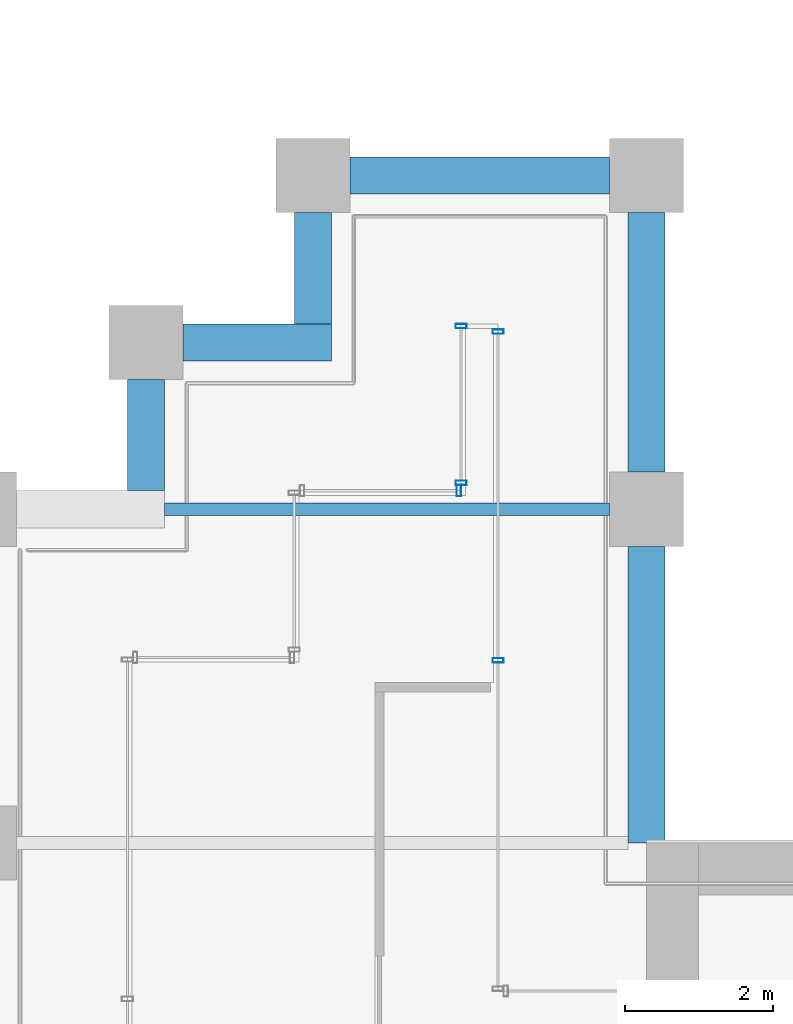
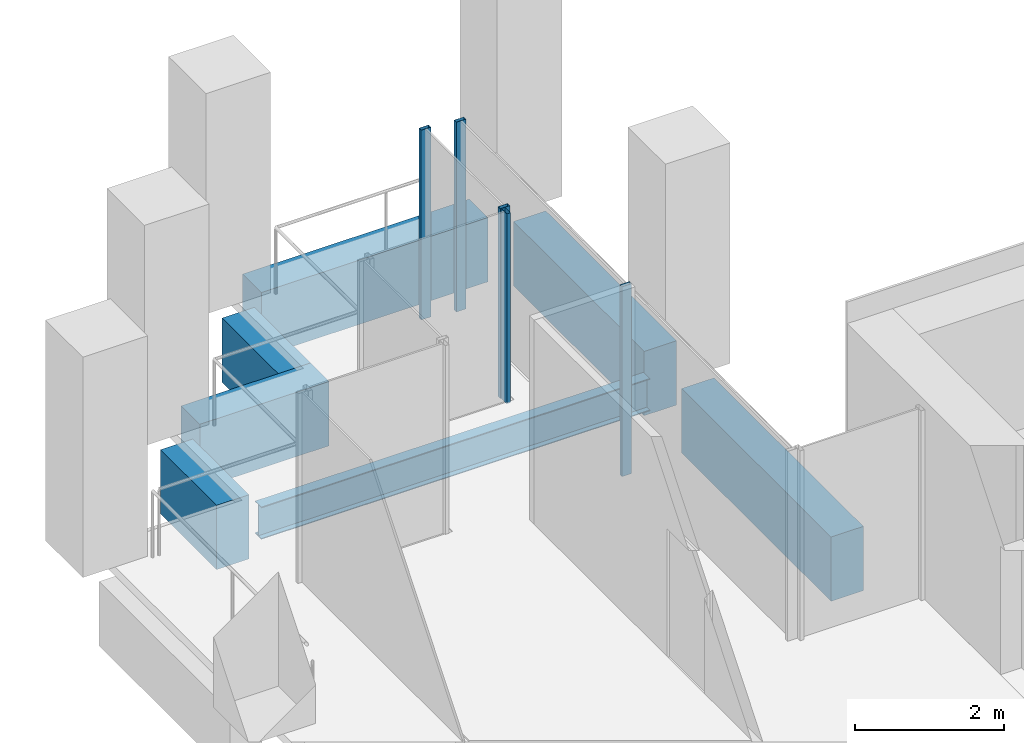
# One storey, part 35 of 45: 7 beams, 5 members, 3 elements without a shape of their own.
"""IFC4 building model written with IfcOpenShell, lengths in metres."""

from ifc_helpers import new_model, si_unit, direction, frame, origin, origin_2d, place, context, subcontext, project, spatial, rectangle, hollow_rectangle, i_section, extrude, material, material_profile, profile_set, type_object, element, aggregate, save


model = new_model("IFC4")

# Units and contexts
model_context = context("Model", 3, precision=1e-05, world=origin(), true_north=direction((0.0, 1.0)))
body_context = subcontext(model_context, "Body", "Model", "MODEL_VIEW")
ifc_project = project(units=[si_unit("LENGTHUNIT", "METRE"), si_unit("AREAUNIT", "SQUARE_METRE"), si_unit("VOLUMEUNIT", "CUBIC_METRE"), si_unit("PLANEANGLEUNIT", "RADIAN"), si_unit("MASSUNIT", "GRAM", prefix="KILO")], contexts=[model_context])

# Site, building, storey
site_placement = place(None, origin())
site = spatial("IfcSite", under=ifc_project, at=site_placement, CompositionType="ELEMENT")
building_placement = place(site_placement, origin())
building = spatial("IfcBuilding", under=site, at=building_placement, Name="Altepetl Exchange Towers", CompositionType="ELEMENT")
storey_placement = place(building_placement, frame((0.0, 0.0, 110.0)))
storey = spatial("IfcBuildingStorey", under=building, at=storey_placement, Name="L27", CompositionType="ELEMENT", Elevation=110.0)

# Beam
ifc_material_1 = material(Name="Steel S355", Category="steel")
ifc_material_profile_1 = material_profile(ifc_material_1, i_section(OverallWidth=0.166015625, OverallDepth=0.529052734375, WebThickness=0.009765625, FlangeThickness=0.013671875, at=origin_2d()), Name="W21X50")
ifc_profile_set_1 = profile_set([ifc_material_profile_1], Name="Steel S355")
beam_type_1 = type_object("IfcBeamType", Name="Floor beam W21X50", PredefinedType="BEAM", material=ifc_profile_set_1)
beam_1_placement = place(storey_placement, frame((97.0, 54.0, -0.41455078125), z_axis=(1.0, 0.0, 0.0), x_axis=(0.0, 1.0, 0.0)))
element("IfcBeam", 1, at=beam_1_placement, inside=storey, type_object=beam_type_1, Name="bm:B:L27:011", PredefinedType="BEAM", context=body_context, shape_type="SweptSolid", body=[
    extrude(i_section(OverallWidth=0.166015625, OverallDepth=0.529052734375, WebThickness=0.009765625, FlangeThickness=0.013671875, at=origin_2d()), origin(), (0.0, 0.0, 1.0), 6.0),
])

# Curtain wall, members
ifc_material_2 = material(Name="Aluminium 6063-T6 glazing", Category="aluminium")
curtain_wall_type = type_object("IfcCurtainWallType", Name="Loggia glazing system", PredefinedType="NOTDEFINED", material=ifc_material_2)
curtain_wall_1_placement = place(storey_placement, origin())
curtain_wall_1 = element("IfcCurtainWall", 2, at=curtain_wall_1_placement, inside=storey, type_object=curtain_wall_type, Name="CW1 run", PredefinedType="NOTDEFINED")
ifc_material_3 = material(Name="Aluminium 6063-T6", Category="aluminium")
ifc_material_profile_2 = material_profile(ifc_material_3, hollow_rectangle(XDim=0.06005859375, YDim=0.14990234375, WallThickness=0.0029296875, at=origin_2d()), Name="Mullion 60x150 aluminium")
ifc_profile_set_2 = profile_set([ifc_material_profile_2], Name="Aluminium 6063-T6")
member_type = type_object("IfcMemberType", Name="Mullion 60x150 aluminium", PredefinedType="MULLION", material=ifc_profile_set_2)
member_1_placement = place(storey_placement, frame((101.5, 51.96240234375, 0.0), z_axis=(0.0, 0.0, 1.0), x_axis=(0.0, 1.0, 0.0)))
member_1 = element("IfcMember", 3, at=member_1_placement, type_object=member_type, Name="MU1 mullion", PredefinedType="MULLION", context=body_context, shape_type="SweptSolid", body=[
    extrude(hollow_rectangle(XDim=0.06005859375, YDim=0.14990234375, WallThickness=0.0029296875, at=origin_2d()), origin(), (0.0, 0.0, 1.0), 3.10009765625),
])
member_2_placement = place(storey_placement, frame((101.5, 56.39501953125, 0.0), z_axis=(0.0, 0.0, 1.0), x_axis=(0.0, 1.0, 0.0)))
member_2 = element("IfcMember", 4, at=member_2_placement, type_object=member_type, Name="MU1 mullion", PredefinedType="MULLION", context=body_context, shape_type="SweptSolid", body=[
    extrude(hollow_rectangle(XDim=0.06005859375, YDim=0.14990234375, WallThickness=0.0029296875, at=origin_2d()), origin(), (0.0, 0.0, 1.0), 3.10009765625),
])
aggregate(curtain_wall_1, [member_1, member_2])

curtain_wall_2_placement = place(storey_placement, origin())
curtain_wall_2 = element("IfcCurtainWall", 5, at=curtain_wall_2_placement, inside=storey, type_object=curtain_wall_type, Name="CW1 run", PredefinedType="NOTDEFINED")
member_3_placement = place(storey_placement, frame((101.0, 56.469970703125, 0.0), z_axis=(0.0, 0.0, 1.0), x_axis=(0.0, -1.0, 0.0)))
member_3 = element("IfcMember", 6, at=member_3_placement, type_object=member_type, Name="MU1 mullion", PredefinedType="MULLION", context=body_context, shape_type="SweptSolid", body=[
    extrude(hollow_rectangle(XDim=0.06005859375, YDim=0.14990234375, WallThickness=0.0029296875, at=origin_2d()), origin(), (0.0, 0.0, 1.0), 3.10009765625),
])
member_4_placement = place(storey_placement, frame((101.0, 54.35498046875, 0.0), z_axis=(0.0, 0.0, 1.0), x_axis=(0.0, -1.0, 0.0)))
member_4 = element("IfcMember", 7, at=member_4_placement, type_object=member_type, Name="MU1 mullion", PredefinedType="MULLION", context=body_context, shape_type="SweptSolid", body=[
    extrude(hollow_rectangle(XDim=0.06005859375, YDim=0.14990234375, WallThickness=0.0029296875, at=origin_2d()), origin(), (0.0, 0.0, 1.0), 3.10009765625),
])
aggregate(curtain_wall_2, [member_3, member_4])

# Curtain wall, member
curtain_wall_3_placement = place(storey_placement, origin())
curtain_wall_3 = element("IfcCurtainWall", 8, at=curtain_wall_3_placement, inside=storey, type_object=curtain_wall_type, Name="CW1 run", PredefinedType="NOTDEFINED")
member_5_placement = place(storey_placement, frame((100.969970703125, 54.25, 0.0), z_axis=(0.0, 0.0, 1.0), x_axis=(-1.0, 0.0, 0.0)))
member_5 = element("IfcMember", 9, at=member_5_placement, type_object=member_type, Name="MU1 mullion", PredefinedType="MULLION", context=body_context, shape_type="SweptSolid", body=[
    extrude(hollow_rectangle(XDim=0.06005859375, YDim=0.14990234375, WallThickness=0.0029296875, at=origin_2d()), origin(), (0.0, 0.0, 1.0), 3.10009765625),
])
aggregate(curtain_wall_3, [member_5])

# Beams
ifc_material_4 = material(Name="Concrete C50/60 precast with cantera rosa facing", Category="concrete")
ifc_material_profile_3 = material_profile(ifc_material_4, rectangle(XDim=0.5, YDim=1.050048828125, at=origin_2d()), Name="500 x 1050")
ifc_profile_set_3 = profile_set([ifc_material_profile_3], Name="Concrete C50/60 precast with cantera rosa facing")
beam_type_2 = type_object("IfcBeamType", Name="Spandrel beam 500x1050 cantera rosa", PredefinedType="SPANDREL", material=ifc_profile_set_3)
beam_2_placement = place(storey_placement, frame((103.5, 49.5, -0.675048828125), z_axis=(0.0, 1.0, 0.0), x_axis=(-1.0, 0.0, 0.0)))
element("IfcBeam", 10, at=beam_2_placement, inside=storey, type_object=beam_type_2, Name="sp:B:L27:015", PredefinedType="SPANDREL", context=body_context, shape_type="SweptSolid", body=[
    extrude(rectangle(XDim=0.5, YDim=1.050048828125, at=origin_2d()), origin(), (0.0, 0.0, 1.0), 4.0),
])
for number, where, z_axis, x_axis, name in (
    (11, (103.5, 54.5, -0.675048828125), (0.0, 1.0, 0.0), (-1.0, 0.0, 0.0), "sp:B:L27:016"),
    (12, (103.0, 58.5, -0.675048828125), (-1.0, 0.0, 0.0), (0.0, -1.0, 0.0), "sp:B:L27:017"),
):
    element("IfcBeam", number, at=place(storey_placement, frame(where, z_axis=z_axis, x_axis=x_axis)), inside=storey, type_object=beam_type_2, Name=name, PredefinedType="SPANDREL", context=body_context, shape_type="SweptSolid", body=[
        extrude(rectangle(XDim=0.5, YDim=1.050048828125, at=origin_2d()), origin(), (0.0, 0.0, 1.0), 3.5),
    ])
beam_3_placement = place(storey_placement, frame((99.0, 58.0, -0.675048828125), z_axis=(0.0, -1.0, 0.0), x_axis=(1.0, 0.0, 0.0)))
element("IfcBeam", 13, at=beam_3_placement, inside=storey, type_object=beam_type_2, Name="sp:B:L27:018", PredefinedType="SPANDREL", context=body_context, shape_type="SweptSolid", body=[
    extrude(rectangle(XDim=0.5, YDim=1.050048828125, at=origin_2d()), origin(), (0.0, 0.0, 1.0), 1.5),
])
beam_4_placement = place(storey_placement, frame((99.25, 56.25, -0.675048828125), z_axis=(-1.0, 0.0, 0.0), x_axis=(0.0, -1.0, 0.0)))
element("IfcBeam", 14, at=beam_4_placement, inside=storey, type_object=beam_type_2, Name="sp:B:L27:019", PredefinedType="SPANDREL", context=body_context, shape_type="SweptSolid", body=[
    extrude(rectangle(XDim=0.5, YDim=1.050048828125, at=origin_2d()), origin(), (0.0, 0.0, 1.0), 2.0),
])
beam_5_placement = place(storey_placement, frame((96.75, 55.75, -0.675048828125), z_axis=(0.0, -1.0, 0.0), x_axis=(1.0, 0.0, 0.0)))
element("IfcBeam", 15, at=beam_5_placement, inside=storey, type_object=beam_type_2, Name="sp:B:L27:020", PredefinedType="SPANDREL", context=body_context, shape_type="SweptSolid", body=[
    extrude(rectangle(XDim=0.5, YDim=1.050048828125, at=origin_2d()), origin(), (0.0, 0.0, 1.0), 1.5),
])

save(model, "model.ifc")
